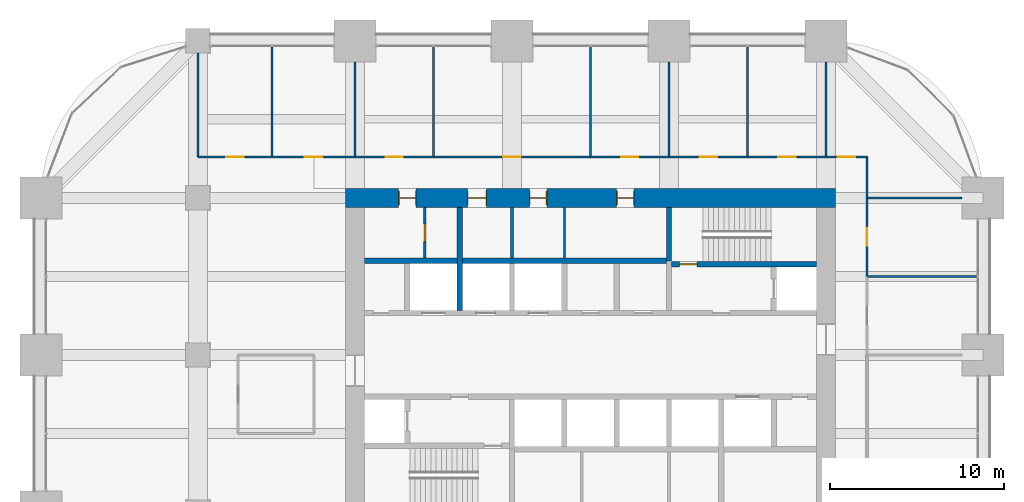
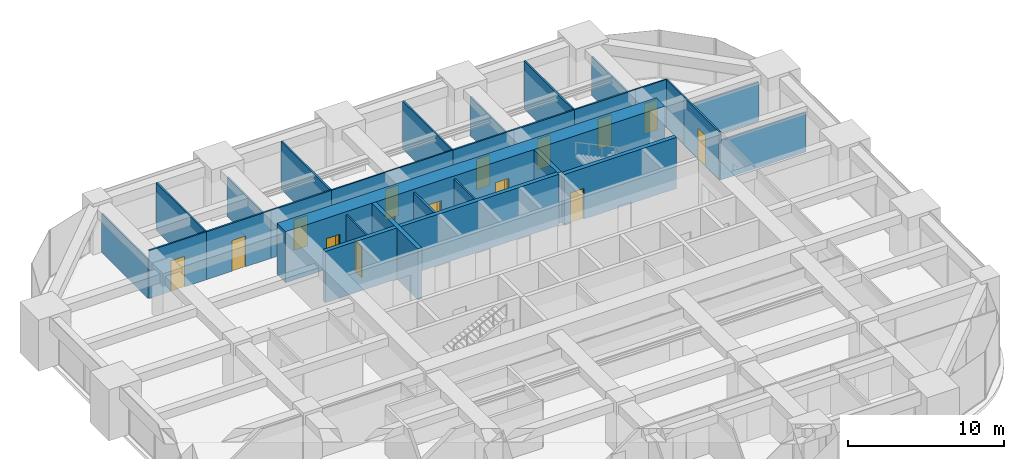
# One storey, part 31 of 33: 28 walls, 15 doors, 15 openings.
"""IFC4 building model written with IfcOpenShell, lengths in metres."""

from ifc_helpers import new_model, si_unit, direction, frame, frame_2d, origin, place, context, subcontext, project, spatial, rectangle, extrude, material, layer, layer_set, type_object, element, fill, save


model = new_model("IFC4")

# Units and contexts
model_context = context("Model", 3, precision=1e-05, world=origin(), true_north=direction((0.0, 1.0)))
body_context = subcontext(model_context, "Body", "Model", "MODEL_VIEW")
ifc_project = project(units=[si_unit("LENGTHUNIT", "METRE"), si_unit("AREAUNIT", "SQUARE_METRE"), si_unit("VOLUMEUNIT", "CUBIC_METRE"), si_unit("PLANEANGLEUNIT", "RADIAN"), si_unit("MASSUNIT", "GRAM", prefix="KILO")], contexts=[model_context])

# Site, building, storey
site_placement = place(None, origin())
site = spatial("IfcSite", under=ifc_project, at=site_placement, CompositionType="ELEMENT")
building_placement = place(site_placement, origin())
building = spatial("IfcBuilding", under=site, at=building_placement, Name="Zorevar Civic Tower", CompositionType="ELEMENT")
storey_placement = place(building_placement, frame((0.0, 0.0, 210.199951171875)))
storey = spatial("IfcBuildingStorey", under=building, at=storey_placement, Name="L51", CompositionType="ELEMENT", Elevation=210.199951171875)

# Wall, openings, doors
ifc_material_1 = material(Name="Concrete C50/60", Category="concrete")
ifc_layer_1 = layer(ifc_material_1, 1.10009765625)
ifc_layer_set_1 = layer_set([ifc_layer_1], Name="Core wall 1100")
wall_type_1 = type_object("IfcWallType", Name="Core wall 1100", PredefinedType="SHEAR", material=ifc_layer_set_1)
wall_1_placement = place(storey_placement, frame((45.550048828125, 36.0, 0.0), z_axis=(0.0, 0.0, 1.0), x_axis=(-1.0, 0.0, 0.0)))
wall_1 = element("IfcWall", 1, at=wall_1_placement, inside=storey, type_object=wall_type_1, Name="Core wall N L51", PredefinedType="SHEAR", context=body_context, shape_type="SweptSolid", body=[
    extrude(rectangle(XDim=28.10009765625, YDim=1.10009765625, at=frame_2d((14.050048828125, 0.0))), origin(), (0.0, 0.0, 1.0), 4.0),
])
opening_1_placement = place(wall_1_placement, frame((11.550048828125, 0.0, 0.0)))
opening_1 = element("IfcOpeningElement", 2, at=opening_1_placement, cuts=wall_1, Name="Opening L51.07", PredefinedType="OPENING", context=body_context, shape_type="SweptSolid", body=[
    extrude(rectangle(XDim=1.0, YDim=2.39990234375, at=frame_2d((0.5, 1.199951171875))), frame((0.0, 0.56005859375, 0.0), z_axis=(0.0, -1.0, 0.0), x_axis=(1.0, 0.0, 0.0)), (0.0, 0.0, 1.0), 1.1201171875),
])
opening_2_placement = place(wall_1_placement, frame((16.550048828125, 0.0, 0.0)))
opening_2 = element("IfcOpeningElement", 3, at=opening_2_placement, cuts=wall_1, Name="Opening L51.08", PredefinedType="OPENING", context=body_context, shape_type="SweptSolid", body=[
    extrude(rectangle(XDim=1.0, YDim=2.39990234375, at=frame_2d((0.5, 1.199951171875))), frame((0.0, 0.56005859375, 0.0), z_axis=(0.0, -1.0, 0.0), x_axis=(1.0, 0.0, 0.0)), (0.0, 0.0, 1.0), 1.1201171875),
])
opening_3_placement = place(wall_1_placement, frame((20.0, 0.0, 0.0)))
opening_3 = element("IfcOpeningElement", 4, at=opening_3_placement, cuts=wall_1, Name="Opening L51.09", PredefinedType="OPENING", context=body_context, shape_type="SweptSolid", body=[
    extrude(rectangle(XDim=1.10009765625, YDim=2.39990234375, at=frame_2d((0.550048828125, 1.199951171875))), frame((0.0, 0.56005859375, 0.0), z_axis=(0.0, -1.0, 0.0), x_axis=(1.0, 0.0, 0.0)), (0.0, 0.0, 1.0), 1.1201171875),
])
opening_4_placement = place(wall_1_placement, frame((24.050048828125, 0.0, 0.0)))
opening_4 = element("IfcOpeningElement", 5, at=opening_4_placement, cuts=wall_1, Name="Opening L51.10", PredefinedType="OPENING", context=body_context, shape_type="SweptSolid", body=[
    extrude(rectangle(XDim=1.0, YDim=2.39990234375, at=frame_2d((0.5, 1.199951171875))), frame((0.0, 0.56005859375, 0.0), z_axis=(0.0, -1.0, 0.0), x_axis=(1.0, 0.0, 0.0)), (0.0, 0.0, 1.0), 1.1201171875),
])
ifc_material_2 = material(Name="Timber door set", Category="wood")
door_type_1 = type_object("IfcDoorType", Name="Door D1 1000x2400", OperationType="SINGLE_SWING_LEFT", PredefinedType="DOOR", material=ifc_material_2)
door_1_placement = place(opening_1_placement, origin())
door_1 = element("IfcDoor", 6, at=door_1_placement, inside=storey, type_object=door_type_1, Name="Door L51 06", OperationType="SINGLE_SWING_RIGHT", OverallHeight=2.39990234375, OverallWidth=1.0, PredefinedType="DOOR", context=body_context, shape_type="SweptSolid", body=[
    extrude(rectangle(XDim=1.0, YDim=2.39990234375, at=frame_2d((0.5, 1.199951171875))), frame((0.0, 0.02490234375, 0.0), z_axis=(0.0, -1.0, 0.0), x_axis=(1.0, 0.0, 0.0)), (0.0, 0.0, 1.0), 0.050048828125),
    extrude(rectangle(XDim=0.04, YDim=2.39990234375, at=frame_2d((0.02001953125, 1.199951171875))), frame((0.0, 0.39990234375, 0.0), z_axis=(0.0, -1.0, 0.0), x_axis=(1.0, 0.0, 0.0)), (0.0, 0.0, 1.0), 0.800048828125),
    extrude(rectangle(XDim=0.04, YDim=2.39990234375, at=frame_2d((0.97998046875, 1.199951171875))), frame((0.0, 0.39990234375, 0.0), z_axis=(0.0, -1.0, 0.0), x_axis=(1.0, 0.0, 0.0)), (0.0, 0.0, 1.0), 0.800048828125),
    extrude(rectangle(XDim=1.0, YDim=0.04, at=frame_2d((0.5, 2.3798828125))), frame((0.0, 0.39990234375, 0.0), z_axis=(0.0, -1.0, 0.0), x_axis=(1.0, 0.0, 0.0)), (0.0, 0.0, 1.0), 0.800048828125),
])
fill(opening_1, door_1)
door_2_placement = place(opening_2_placement, origin())
door_2 = element("IfcDoor", 7, at=door_2_placement, inside=storey, type_object=door_type_1, Name="Door L51 07", OperationType="SINGLE_SWING_LEFT", OverallHeight=2.39990234375, OverallWidth=1.0, PredefinedType="DOOR", context=body_context, shape_type="SweptSolid", body=[
    extrude(rectangle(XDim=1.0, YDim=2.39990234375, at=frame_2d((0.5, 1.199951171875))), frame((0.0, 0.02490234375, 0.0), z_axis=(0.0, -1.0, 0.0), x_axis=(1.0, 0.0, 0.0)), (0.0, 0.0, 1.0), 0.050048828125),
    extrude(rectangle(XDim=0.04, YDim=2.39990234375, at=frame_2d((0.02001953125, 1.199951171875))), frame((0.0, 0.39990234375, 0.0), z_axis=(0.0, -1.0, 0.0), x_axis=(1.0, 0.0, 0.0)), (0.0, 0.0, 1.0), 0.800048828125),
    extrude(rectangle(XDim=0.04, YDim=2.39990234375, at=frame_2d((0.97998046875, 1.199951171875))), frame((0.0, 0.39990234375, 0.0), z_axis=(0.0, -1.0, 0.0), x_axis=(1.0, 0.0, 0.0)), (0.0, 0.0, 1.0), 0.800048828125),
    extrude(rectangle(XDim=1.0, YDim=0.04, at=frame_2d((0.5, 2.3798828125))), frame((0.0, 0.39990234375, 0.0), z_axis=(0.0, -1.0, 0.0), x_axis=(1.0, 0.0, 0.0)), (0.0, 0.0, 1.0), 0.800048828125),
])
fill(opening_2, door_2)
door_3_placement = place(opening_4_placement, origin())
door_3 = element("IfcDoor", 8, at=door_3_placement, inside=storey, type_object=door_type_1, Name="Door L51 09", OperationType="SINGLE_SWING_LEFT", OverallHeight=2.39990234375, OverallWidth=1.0, PredefinedType="DOOR", context=body_context, shape_type="SweptSolid", body=[
    extrude(rectangle(XDim=1.0, YDim=2.39990234375, at=frame_2d((0.5, 1.199951171875))), frame((0.0, 0.02490234375, 0.0), z_axis=(0.0, -1.0, 0.0), x_axis=(1.0, 0.0, 0.0)), (0.0, 0.0, 1.0), 0.050048828125),
    extrude(rectangle(XDim=0.04, YDim=2.39990234375, at=frame_2d((0.02001953125, 1.199951171875))), frame((0.0, 0.39990234375, 0.0), z_axis=(0.0, -1.0, 0.0), x_axis=(1.0, 0.0, 0.0)), (0.0, 0.0, 1.0), 0.800048828125),
    extrude(rectangle(XDim=0.04, YDim=2.39990234375, at=frame_2d((0.97998046875, 1.199951171875))), frame((0.0, 0.39990234375, 0.0), z_axis=(0.0, -1.0, 0.0), x_axis=(1.0, 0.0, 0.0)), (0.0, 0.0, 1.0), 0.800048828125),
    extrude(rectangle(XDim=1.0, YDim=0.04, at=frame_2d((0.5, 2.3798828125))), frame((0.0, 0.39990234375, 0.0), z_axis=(0.0, -1.0, 0.0), x_axis=(1.0, 0.0, 0.0)), (0.0, 0.0, 1.0), 0.800048828125),
])
fill(opening_4, door_3)
ifc_material_3 = material(Name="Timber door set", Category="wood")
door_type_2 = type_object("IfcDoorType", Name="Door D5 1100x2400", OperationType="SINGLE_SWING_LEFT", PredefinedType="DOOR", material=ifc_material_3)
door_4_placement = place(opening_3_placement, origin())
door_4 = element("IfcDoor", 9, at=door_4_placement, inside=storey, type_object=door_type_2, Name="Door L51 08", OperationType="SINGLE_SWING_LEFT", OverallHeight=2.39990234375, OverallWidth=1.10009765625, PredefinedType="DOOR", context=body_context, shape_type="SweptSolid", body=[
    extrude(rectangle(XDim=1.10009765625, YDim=2.39990234375, at=frame_2d((0.550048828125, 1.199951171875))), frame((0.0, 0.02490234375, 0.0), z_axis=(0.0, -1.0, 0.0), x_axis=(1.0, 0.0, 0.0)), (0.0, 0.0, 1.0), 0.050048828125),
    extrude(rectangle(XDim=0.04, YDim=2.39990234375, at=frame_2d((0.02001953125, 1.199951171875))), frame((0.0, 0.43994140625, 0.0), z_axis=(0.0, -1.0, 0.0), x_axis=(1.0, 0.0, 0.0)), (0.0, 0.0, 1.0), 0.880126953125),
    extrude(rectangle(XDim=0.04, YDim=2.39990234375, at=frame_2d((1.080078125, 1.199951171875))), frame((0.0, 0.43994140625, 0.0), z_axis=(0.0, -1.0, 0.0), x_axis=(1.0, 0.0, 0.0)), (0.0, 0.0, 1.0), 0.880126953125),
    extrude(rectangle(XDim=1.10009765625, YDim=0.04, at=frame_2d((0.550048828125, 2.3798828125))), frame((0.0, 0.43994140625, 0.0), z_axis=(0.0, -1.0, 0.0), x_axis=(1.0, 0.0, 0.0)), (0.0, 0.0, 1.0), 0.880126953125),
])
fill(opening_3, door_4)

# Wall, opening, door
ifc_material_4 = material(Name="Laminated glass in black aluminium frame", Category="aluminium")
ifc_layer_2 = layer(ifc_material_4, 0.10009765625)
ifc_layer_set_2 = layer_set([ifc_layer_2], Name="Glazed partition 100")
wall_type_2 = type_object("IfcWallType", Name="Glazed partition 100", PredefinedType="PARTITIONING", material=ifc_layer_set_2)
wall_2_placement = place(storey_placement, frame((22.5, 38.35009765625, 0.0), z_axis=(0.0, 0.0, 1.0), x_axis=(1.0, 0.0, 0.0)))
wall_2 = element("IfcWall", 10, at=wall_2_placement, inside=storey, type_object=wall_type_2, Name="Glazed partition 100 L51", PredefinedType="PARTITIONING", context=body_context, shape_type="SweptSolid", body=[
    extrude(rectangle(XDim=9.0, YDim=0.10009765625, at=frame_2d((4.5, 0.0))), origin(), (0.0, 0.0, 1.0), 3.75),
])
opening_5_placement = place(wall_2_placement, frame((4.0, 0.0, 0.0)))
opening_5 = element("IfcOpeningElement", 11, at=opening_5_placement, cuts=wall_2, Name="Opening L51.34", PredefinedType="OPENING", context=body_context, shape_type="SweptSolid", body=[
    extrude(rectangle(XDim=1.0, YDim=2.39990234375, at=frame_2d((0.5, 1.199951171875))), frame((0.0, 0.06005859375, 0.0), z_axis=(0.0, -1.0, 0.0), x_axis=(1.0, 0.0, 0.0)), (0.0, 0.0, 1.0), 0.1201171875),
])
ifc_material_5 = material(Name="Timber door set", Category="wood")
door_type_3 = type_object("IfcDoorType", Name="Glazed door GD1 1000x2400", OperationType="SINGLE_SWING_LEFT", PredefinedType="DOOR", material=ifc_material_5)
door_5_placement = place(opening_5_placement, origin())
door_5 = element("IfcDoor", 12, at=door_5_placement, inside=storey, type_object=door_type_3, Name="Door L51 D1", OperationType="SINGLE_SWING_RIGHT", OverallHeight=2.39990234375, OverallWidth=1.0, PredefinedType="DOOR", context=body_context, shape_type="SweptSolid", body=[
    extrude(rectangle(XDim=1.0, YDim=2.39990234375, at=frame_2d((0.5, 1.199951171875))), frame((0.0, 0.02001953125, 0.0), z_axis=(0.0, -1.0, 0.0), x_axis=(1.0, 0.0, 0.0)), (0.0, 0.0, 1.0), 0.0400390625),
])
fill(opening_5, door_5)

wall_3_placement = place(storey_placement, frame((45.0, 38.35009765625, 0.0), z_axis=(0.0, 0.0, 1.0), x_axis=(1.0, 0.0, 0.0)))
wall_3 = element("IfcWall", 13, at=wall_3_placement, inside=storey, type_object=wall_type_2, Name="Glazed partition 100 L51", PredefinedType="PARTITIONING", context=body_context, shape_type="SweptSolid", body=[
    extrude(rectangle(XDim=2.35009765625, YDim=0.10009765625, at=frame_2d((1.175048828125, 0.0))), origin(), (0.0, 0.0, 1.0), 3.75),
])
opening_6_placement = place(wall_3_placement, frame((0.675048828125, 0.0, 0.0)))
opening_6 = element("IfcOpeningElement", 14, at=opening_6_placement, cuts=wall_3, Name="Opening L51.35", PredefinedType="OPENING", context=body_context, shape_type="SweptSolid", body=[
    extrude(rectangle(XDim=1.0, YDim=2.39990234375, at=frame_2d((0.5, 1.199951171875))), frame((0.0, 0.06005859375, 0.0), z_axis=(0.0, -1.0, 0.0), x_axis=(1.0, 0.0, 0.0)), (0.0, 0.0, 1.0), 0.1201171875),
])
door_6_placement = place(opening_6_placement, origin())
door_6 = element("IfcDoor", 15, at=door_6_placement, inside=storey, type_object=door_type_3, Name="Door L51 D1", OperationType="SINGLE_SWING_RIGHT", OverallHeight=2.39990234375, OverallWidth=1.0, PredefinedType="DOOR", context=body_context, shape_type="SweptSolid", body=[
    extrude(rectangle(XDim=1.0, YDim=2.39990234375, at=frame_2d((0.5, 1.199951171875))), frame((0.0, 0.02001953125, 0.0), z_axis=(0.0, -1.0, 0.0), x_axis=(1.0, 0.0, 0.0)), (0.0, 0.0, 1.0), 0.0400390625),
])
fill(opening_6, door_6)

# Wall
wall_4_placement = place(storey_placement, frame((47.35009765625, 36.0, 0.0), z_axis=(0.0, 0.0, 1.0), x_axis=(0.0, 1.0, 0.0)))
element("IfcWall", 16, at=wall_4_placement, inside=storey, type_object=wall_type_2, Name="Glazed partition 100 L51", PredefinedType="PARTITIONING", context=body_context, shape_type="SweptSolid", body=[
    extrude(rectangle(XDim=2.35009765625, YDim=0.10009765625, at=frame_2d((1.175048828125, 0.0))), origin(), (0.0, 0.0, 1.0), 3.75),
])

# Wall, opening, door
ifc_material_6 = material(Name="Concrete C40/50", Category="concrete")
ifc_layer_3 = layer(ifc_material_6, 0.300048828125)
ifc_layer_set_3 = layer_set([ifc_layer_3], Name="Inner core wall 300")
wall_type_3 = type_object("IfcWallType", Name="Inner core wall 300", PredefinedType="SHEAR", material=ifc_layer_set_3)
wall_5_placement = place(storey_placement, frame((36.14990234375, 32.199951171875, 0.0), z_axis=(0.0, 0.0, 1.0), x_axis=(1.0, 0.0, 0.0)))
wall_5 = element("IfcWall", 17, at=wall_5_placement, inside=storey, type_object=wall_type_3, Name="Inner core wall N00 L51", PredefinedType="SHEAR", context=body_context, shape_type="SweptSolid", body=[
    extrude(rectangle(XDim=8.300048828125, YDim=0.300048828125, at=frame_2d((4.14990234375, 0.0))), origin(), (0.0, 0.0, 1.0), 4.0),
])
opening_7_placement = place(wall_5_placement, frame((0.449951171875, 0.0, 0.0)))
opening_7 = element("IfcOpeningElement", 18, at=opening_7_placement, cuts=wall_5, Name="Opening L51.12", PredefinedType="OPENING", context=body_context, shape_type="SweptSolid", body=[
    extrude(rectangle(XDim=1.0, YDim=2.39990234375, at=frame_2d((0.5, 1.199951171875))), frame((0.0, 0.159912109375, 0.0), z_axis=(0.0, -1.0, 0.0), x_axis=(1.0, 0.0, 0.0)), (0.0, 0.0, 1.0), 0.320068359375),
])
ifc_material_7 = material(Name="Steel door set", Category="steel")
door_type_4 = type_object("IfcDoorType", Name="Fire door FD1 1000x2400", OperationType="SINGLE_SWING_LEFT", PredefinedType="DOOR", material=ifc_material_7)
door_7_placement = place(opening_7_placement, origin())
door_7 = element("IfcDoor", 19, at=door_7_placement, inside=storey, type_object=door_type_4, Name="Door L51 11", OperationType="SINGLE_SWING_RIGHT", OverallHeight=2.39990234375, OverallWidth=1.0, PredefinedType="DOOR", context=body_context, shape_type="SweptSolid", body=[
    extrude(rectangle(XDim=1.0, YDim=2.39990234375, at=frame_2d((0.5, 1.199951171875))), frame((0.0, 0.030029296875, 0.0), z_axis=(0.0, -1.0, 0.0), x_axis=(1.0, 0.0, 0.0)), (0.0, 0.0, 1.0), 0.06005859375),
])
fill(opening_7, door_7)

# Walls
wall_6_placement = place(storey_placement, frame((36.0, 32.39990234375, 0.0), z_axis=(0.0, 0.0, 1.0), x_axis=(0.0, 1.0, 0.0)))
element("IfcWall", 20, at=wall_6_placement, inside=storey, type_object=wall_type_3, Name="Inner core wall N01 L51", PredefinedType="SHEAR", context=body_context, shape_type="SweptSolid", body=[
    extrude(rectangle(XDim=3.050048828125, YDim=0.300048828125, at=frame_2d((1.52490234375, 0.0))), origin(), (0.0, 0.0, 1.0), 4.0),
])
wall_7_placement = place(storey_placement, frame((18.550048828125, 32.39990234375, 0.0), z_axis=(0.0, 0.0, 1.0), x_axis=(1.0, 0.0, 0.0)))
element("IfcWall", 21, at=wall_7_placement, inside=storey, type_object=wall_type_3, Name="Inner core wall N04 L51", PredefinedType="SHEAR", context=body_context, shape_type="SweptSolid", body=[
    extrude(rectangle(XDim=17.300048828125, YDim=0.300048828125, at=frame_2d((8.64990234375, 0.0))), origin(), (0.0, 0.0, 1.0), 4.0),
])
wall_8_placement = place(storey_placement, frame((24.0, 29.550048828125, 0.0), z_axis=(0.0, 0.0, 1.0), x_axis=(0.0, 1.0, 0.0)))
element("IfcWall", 22, at=wall_8_placement, inside=storey, type_object=wall_type_3, Name="Inner core wall N08 L51", PredefinedType="SHEAR", context=body_context, shape_type="SweptSolid", body=[
    extrude(rectangle(XDim=5.89990234375, YDim=0.300048828125, at=frame_2d((2.949951171875, 0.0))), origin(), (0.0, 0.0, 1.0), 4.0),
])
ifc_material_8 = material(Name="Gypsum board on steel studs", Category="steel")
ifc_layer_4 = layer(ifc_material_8, 0.1201171875)
ifc_layer_set_4 = layer_set([ifc_layer_4], Name="Partition 120")
wall_type_4 = type_object("IfcWallType", Name="Partition 120", PredefinedType="PARTITIONING", material=ifc_layer_set_4)
wall_9_placement = place(storey_placement, frame((47.35009765625, 31.5, 0.0), z_axis=(0.0, 0.0, 1.0), x_axis=(1.0, 0.0, 0.0)))
element("IfcWall", 23, at=wall_9_placement, inside=storey, type_object=wall_type_4, Name="Partition 120 L51", PredefinedType="PARTITIONING", context=body_context, shape_type="SweptSolid", body=[
    extrude(rectangle(XDim=6.33984375, YDim=0.1201171875, at=frame_2d((3.169921875, 0.0))), origin(), (0.0, 0.0, 1.0), 3.10009765625),
])
wall_10_placement = place(storey_placement, frame((47.35009765625, 36.0, 0.0), z_axis=(0.0, 0.0, 1.0), x_axis=(1.0, 0.0, 0.0)))
element("IfcWall", 24, at=wall_10_placement, inside=storey, type_object=wall_type_4, Name="Partition 120 L51", PredefinedType="PARTITIONING", context=body_context, shape_type="SweptSolid", body=[
    extrude(rectangle(XDim=5.449951171875, YDim=0.1201171875, at=frame_2d((2.72509765625, 0.0))), origin(), (0.0, 0.0, 1.0), 3.050048828125),
])

# Wall, opening, door
wall_11_placement = place(storey_placement, frame((9.0, 38.35009765625, 0.0), z_axis=(0.0, 0.0, 1.0), x_axis=(1.0, 0.0, 0.0)))
wall_11 = element("IfcWall", 25, at=wall_11_placement, inside=storey, type_object=wall_type_4, Name="Partition 120 L51", PredefinedType="PARTITIONING", context=body_context, shape_type="SweptSolid", body=[
    extrude(rectangle(XDim=4.25, YDim=0.1201171875, at=frame_2d((2.125, 0.0))), origin(), (0.0, 0.0, 1.0), 3.75),
])
opening_8_placement = place(wall_11_placement, frame((1.625, 0.0, 0.0)))
opening_8 = element("IfcOpeningElement", 26, at=opening_8_placement, cuts=wall_11, Name="Opening L51.28", PredefinedType="OPENING", context=body_context, shape_type="SweptSolid", body=[
    extrude(rectangle(XDim=1.0, YDim=2.39990234375, at=frame_2d((0.5, 1.199951171875))), frame((0.0, 0.070068359375, 0.0), z_axis=(0.0, -1.0, 0.0), x_axis=(1.0, 0.0, 0.0)), (0.0, 0.0, 1.0), 0.14013671875),
])
door_8_placement = place(opening_8_placement, origin())
door_8 = element("IfcDoor", 27, at=door_8_placement, inside=storey, type_object=door_type_1, Name="Door L51 D1", OperationType="SINGLE_SWING_RIGHT", OverallHeight=2.39990234375, OverallWidth=1.0, PredefinedType="DOOR", context=body_context, shape_type="SweptSolid", body=[
    extrude(rectangle(XDim=1.0, YDim=2.39990234375, at=frame_2d((0.5, 1.199951171875))), frame((0.0, 0.02490234375, 0.0), z_axis=(0.0, -1.0, 0.0), x_axis=(1.0, 0.0, 0.0)), (0.0, 0.0, 1.0), 0.050048828125),
])
fill(opening_8, door_8)

wall_12_placement = place(storey_placement, frame((13.25, 38.35009765625, 0.0), z_axis=(0.0, 0.0, 1.0), x_axis=(1.0, 0.0, 0.0)))
wall_12 = element("IfcWall", 28, at=wall_12_placement, inside=storey, type_object=wall_type_4, Name="Partition 120 L51", PredefinedType="PARTITIONING", context=body_context, shape_type="SweptSolid", body=[
    extrude(rectangle(XDim=4.75, YDim=0.1201171875, at=frame_2d((2.375, 0.0))), origin(), (0.0, 0.0, 1.0), 3.75),
])
opening_9_placement = place(wall_12_placement, frame((1.875, 0.0, 0.0)))
opening_9 = element("IfcOpeningElement", 29, at=opening_9_placement, cuts=wall_12, Name="Opening L51.29", PredefinedType="OPENING", context=body_context, shape_type="SweptSolid", body=[
    extrude(rectangle(XDim=1.0, YDim=2.39990234375, at=frame_2d((0.5, 1.199951171875))), frame((0.0, 0.070068359375, 0.0), z_axis=(0.0, -1.0, 0.0), x_axis=(1.0, 0.0, 0.0)), (0.0, 0.0, 1.0), 0.14013671875),
])
door_9_placement = place(opening_9_placement, origin())
door_9 = element("IfcDoor", 30, at=door_9_placement, inside=storey, type_object=door_type_1, Name="Door L51 D1", OperationType="SINGLE_SWING_RIGHT", OverallHeight=2.39990234375, OverallWidth=1.0, PredefinedType="DOOR", context=body_context, shape_type="SweptSolid", body=[
    extrude(rectangle(XDim=1.0, YDim=2.39990234375, at=frame_2d((0.5, 1.199951171875))), frame((0.0, 0.02490234375, 0.0), z_axis=(0.0, -1.0, 0.0), x_axis=(1.0, 0.0, 0.0)), (0.0, 0.0, 1.0), 0.050048828125),
])
fill(opening_9, door_9)

wall_13_placement = place(storey_placement, frame((18.0, 38.35009765625, 0.0), z_axis=(0.0, 0.0, 1.0), x_axis=(1.0, 0.0, 0.0)))
wall_13 = element("IfcWall", 31, at=wall_13_placement, inside=storey, type_object=wall_type_4, Name="Partition 120 L51", PredefinedType="PARTITIONING", context=body_context, shape_type="SweptSolid", body=[
    extrude(rectangle(XDim=4.5, YDim=0.1201171875, at=frame_2d((2.25, 0.0))), origin(), (0.0, 0.0, 1.0), 3.75),
])
opening_10_placement = place(wall_13_placement, frame((1.75, 0.0, 0.0)))
opening_10 = element("IfcOpeningElement", 32, at=opening_10_placement, cuts=wall_13, Name="Opening L51.30", PredefinedType="OPENING", context=body_context, shape_type="SweptSolid", body=[
    extrude(rectangle(XDim=1.0, YDim=2.39990234375, at=frame_2d((0.5, 1.199951171875))), frame((0.0, 0.070068359375, 0.0), z_axis=(0.0, -1.0, 0.0), x_axis=(1.0, 0.0, 0.0)), (0.0, 0.0, 1.0), 0.14013671875),
])
door_10_placement = place(opening_10_placement, origin())
door_10 = element("IfcDoor", 33, at=door_10_placement, inside=storey, type_object=door_type_1, Name="Door L51 D1", OperationType="SINGLE_SWING_RIGHT", OverallHeight=2.39990234375, OverallWidth=1.0, PredefinedType="DOOR", context=body_context, shape_type="SweptSolid", body=[
    extrude(rectangle(XDim=1.0, YDim=2.39990234375, at=frame_2d((0.5, 1.199951171875))), frame((0.0, 0.02490234375, 0.0), z_axis=(0.0, -1.0, 0.0), x_axis=(1.0, 0.0, 0.0)), (0.0, 0.0, 1.0), 0.050048828125),
])
fill(opening_10, door_10)

wall_14_placement = place(storey_placement, frame((31.5, 38.35009765625, 0.0), z_axis=(0.0, 0.0, 1.0), x_axis=(1.0, 0.0, 0.0)))
wall_14 = element("IfcWall", 34, at=wall_14_placement, inside=storey, type_object=wall_type_4, Name="Partition 120 L51", PredefinedType="PARTITIONING", context=body_context, shape_type="SweptSolid", body=[
    extrude(rectangle(XDim=4.5, YDim=0.1201171875, at=frame_2d((2.25, 0.0))), origin(), (0.0, 0.0, 1.0), 3.75),
])
opening_11_placement = place(wall_14_placement, frame((1.75, 0.0, 0.0)))
opening_11 = element("IfcOpeningElement", 35, at=opening_11_placement, cuts=wall_14, Name="Opening L51.31", PredefinedType="OPENING", context=body_context, shape_type="SweptSolid", body=[
    extrude(rectangle(XDim=1.0, YDim=2.39990234375, at=frame_2d((0.5, 1.199951171875))), frame((0.0, 0.070068359375, 0.0), z_axis=(0.0, -1.0, 0.0), x_axis=(1.0, 0.0, 0.0)), (0.0, 0.0, 1.0), 0.14013671875),
])
door_11_placement = place(opening_11_placement, origin())
door_11 = element("IfcDoor", 36, at=door_11_placement, inside=storey, type_object=door_type_1, Name="Door L51 D1", OperationType="SINGLE_SWING_LEFT", OverallHeight=2.39990234375, OverallWidth=1.0, PredefinedType="DOOR", context=body_context, shape_type="SweptSolid", body=[
    extrude(rectangle(XDim=1.0, YDim=2.39990234375, at=frame_2d((0.5, 1.199951171875))), frame((0.0, 0.02490234375, 0.0), z_axis=(0.0, -1.0, 0.0), x_axis=(1.0, 0.0, 0.0)), (0.0, 0.0, 1.0), 0.050048828125),
])
fill(opening_11, door_11)

wall_15_placement = place(storey_placement, frame((36.0, 38.35009765625, 0.0), z_axis=(0.0, 0.0, 1.0), x_axis=(1.0, 0.0, 0.0)))
wall_15 = element("IfcWall", 37, at=wall_15_placement, inside=storey, type_object=wall_type_4, Name="Partition 120 L51", PredefinedType="PARTITIONING", context=body_context, shape_type="SweptSolid", body=[
    extrude(rectangle(XDim=4.5, YDim=0.1201171875, at=frame_2d((2.25, 0.0))), origin(), (0.0, 0.0, 1.0), 3.75),
])
opening_12_placement = place(wall_15_placement, frame((1.75, 0.0, 0.0)))
opening_12 = element("IfcOpeningElement", 38, at=opening_12_placement, cuts=wall_15, Name="Opening L51.32", PredefinedType="OPENING", context=body_context, shape_type="SweptSolid", body=[
    extrude(rectangle(XDim=1.0, YDim=2.39990234375, at=frame_2d((0.5, 1.199951171875))), frame((0.0, 0.070068359375, 0.0), z_axis=(0.0, -1.0, 0.0), x_axis=(1.0, 0.0, 0.0)), (0.0, 0.0, 1.0), 0.14013671875),
])
door_12_placement = place(opening_12_placement, origin())
door_12 = element("IfcDoor", 39, at=door_12_placement, inside=storey, type_object=door_type_1, Name="Door L51 D1", OperationType="SINGLE_SWING_RIGHT", OverallHeight=2.39990234375, OverallWidth=1.0, PredefinedType="DOOR", context=body_context, shape_type="SweptSolid", body=[
    extrude(rectangle(XDim=1.0, YDim=2.39990234375, at=frame_2d((0.5, 1.199951171875))), frame((0.0, 0.02490234375, 0.0), z_axis=(0.0, -1.0, 0.0), x_axis=(1.0, 0.0, 0.0)), (0.0, 0.0, 1.0), 0.050048828125),
])
fill(opening_12, door_12)

wall_16_placement = place(storey_placement, frame((40.5, 38.35009765625, 0.0), z_axis=(0.0, 0.0, 1.0), x_axis=(1.0, 0.0, 0.0)))
wall_16 = element("IfcWall", 40, at=wall_16_placement, inside=storey, type_object=wall_type_4, Name="Partition 120 L51", PredefinedType="PARTITIONING", context=body_context, shape_type="SweptSolid", body=[
    extrude(rectangle(XDim=4.5, YDim=0.1201171875, at=frame_2d((2.25, 0.0))), origin(), (0.0, 0.0, 1.0), 3.75),
])
opening_13_placement = place(wall_16_placement, frame((1.75, 0.0, 0.0)))
opening_13 = element("IfcOpeningElement", 41, at=opening_13_placement, cuts=wall_16, Name="Opening L51.33", PredefinedType="OPENING", context=body_context, shape_type="SweptSolid", body=[
    extrude(rectangle(XDim=1.0, YDim=2.39990234375, at=frame_2d((0.5, 1.199951171875))), frame((0.0, 0.070068359375, 0.0), z_axis=(0.0, -1.0, 0.0), x_axis=(1.0, 0.0, 0.0)), (0.0, 0.0, 1.0), 0.14013671875),
])
door_13_placement = place(opening_13_placement, origin())
door_13 = element("IfcDoor", 42, at=door_13_placement, inside=storey, type_object=door_type_1, Name="Door L51 D1", OperationType="SINGLE_SWING_LEFT", OverallHeight=2.39990234375, OverallWidth=1.0, PredefinedType="DOOR", context=body_context, shape_type="SweptSolid", body=[
    extrude(rectangle(XDim=1.0, YDim=2.39990234375, at=frame_2d((0.5, 1.199951171875))), frame((0.0, 0.02490234375, 0.0), z_axis=(0.0, -1.0, 0.0), x_axis=(1.0, 0.0, 0.0)), (0.0, 0.0, 1.0), 0.050048828125),
])
fill(opening_13, door_13)

# Walls
wall_17_placement = place(storey_placement, frame((9.0, 38.35009765625, 0.0), z_axis=(0.0, 0.0, 1.0), x_axis=(0.0, 1.0, 0.0)))
element("IfcWall", 43, at=wall_17_placement, inside=storey, type_object=wall_type_4, Name="Partition 120 L51", PredefinedType="PARTITIONING", context=body_context, shape_type="SweptSolid", body=[
    extrude(rectangle(XDim=5.949951171875, YDim=0.1201171875, at=frame_2d((2.97509765625, 0.0))), origin(), (0.0, 0.0, 1.0), 3.050048828125),
])
wall_18_placement = place(storey_placement, frame((13.25, 38.35009765625, 0.0), z_axis=(0.0, 0.0, 1.0), x_axis=(0.0, 1.0, 0.0)))
element("IfcWall", 44, at=wall_18_placement, inside=storey, type_object=wall_type_4, Name="Partition 120 L51", PredefinedType="PARTITIONING", context=body_context, shape_type="SweptSolid", body=[
    extrude(rectangle(XDim=6.33984375, YDim=0.1201171875, at=frame_2d((3.169921875, 0.0))), origin(), (0.0, 0.0, 1.0), 3.75),
])
wall_19_placement = place(storey_placement, frame((18.0, 38.35009765625, 0.0), z_axis=(0.0, 0.0, 1.0), x_axis=(0.0, 1.0, 0.0)))
element("IfcWall", 45, at=wall_19_placement, inside=storey, type_object=wall_type_4, Name="Partition 120 L51", PredefinedType="PARTITIONING", context=body_context, shape_type="SweptSolid", body=[
    extrude(rectangle(XDim=5.449951171875, YDim=0.1201171875, at=frame_2d((2.72509765625, 0.0))), origin(), (0.0, 0.0, 1.0), 3.050048828125),
])
for number, where, z_axis, x_axis, name in (
    (46, (22.5, 38.35009765625, 0.0), (0.0, 0.0, 1.0), (0.0, 1.0, 0.0), "Partition 120 L51"),
    (47, (31.5, 38.35009765625, 0.0), (0.0, 0.0, 1.0), (0.0, 1.0, 0.0), "Partition 120 L51"),
):
    element("IfcWall", number, at=place(storey_placement, frame(where, z_axis=z_axis, x_axis=x_axis)), inside=storey, type_object=wall_type_4, Name=name, PredefinedType="PARTITIONING", context=body_context, shape_type="SweptSolid", body=[
        extrude(rectangle(XDim=6.33984375, YDim=0.1201171875, at=frame_2d((3.169921875, 0.0))), origin(), (0.0, 0.0, 1.0), 3.75),
    ])
wall_20_placement = place(storey_placement, frame((36.0, 38.35009765625, 0.0), z_axis=(0.0, 0.0, 1.0), x_axis=(0.0, 1.0, 0.0)))
element("IfcWall", 48, at=wall_20_placement, inside=storey, type_object=wall_type_4, Name="Partition 120 L51", PredefinedType="PARTITIONING", context=body_context, shape_type="SweptSolid", body=[
    extrude(rectangle(XDim=5.449951171875, YDim=0.1201171875, at=frame_2d((2.72509765625, 0.0))), origin(), (0.0, 0.0, 1.0), 3.050048828125),
])
wall_21_placement = place(storey_placement, frame((40.5, 38.35009765625, 0.0), z_axis=(0.0, 0.0, 1.0), x_axis=(0.0, 1.0, 0.0)))
element("IfcWall", 49, at=wall_21_placement, inside=storey, type_object=wall_type_4, Name="Partition 120 L51", PredefinedType="PARTITIONING", context=body_context, shape_type="SweptSolid", body=[
    extrude(rectangle(XDim=6.33984375, YDim=0.1201171875, at=frame_2d((3.169921875, 0.0))), origin(), (0.0, 0.0, 1.0), 3.75),
])
wall_22_placement = place(storey_placement, frame((45.0, 38.35009765625, 0.0), z_axis=(0.0, 0.0, 1.0), x_axis=(0.0, 1.0, 0.0)))
element("IfcWall", 50, at=wall_22_placement, inside=storey, type_object=wall_type_4, Name="Partition 120 L51", PredefinedType="PARTITIONING", context=body_context, shape_type="SweptSolid", body=[
    extrude(rectangle(XDim=5.449951171875, YDim=0.1201171875, at=frame_2d((2.72509765625, 0.0))), origin(), (0.0, 0.0, 1.0), 3.050048828125),
])

# Wall, opening, door
wall_23_placement = place(storey_placement, frame((47.35009765625, 31.5, 0.0), z_axis=(0.0, 0.0, 1.0), x_axis=(0.0, 1.0, 0.0)))
wall_23 = element("IfcWall", 51, at=wall_23_placement, inside=storey, type_object=wall_type_4, Name="Partition 120 L51", PredefinedType="PARTITIONING", context=body_context, shape_type="SweptSolid", body=[
    extrude(rectangle(XDim=4.5, YDim=0.1201171875, at=frame_2d((2.25, 0.0))), origin(), (0.0, 0.0, 1.0), 3.75),
])
opening_14_placement = place(wall_23_placement, frame((1.75, 0.0, 0.0)))
opening_14 = element("IfcOpeningElement", 52, at=opening_14_placement, cuts=wall_23, Name="Opening L51.39", PredefinedType="OPENING", context=body_context, shape_type="SweptSolid", body=[
    extrude(rectangle(XDim=1.0, YDim=2.39990234375, at=frame_2d((0.5, 1.199951171875))), frame((0.0, 0.070068359375, 0.0), z_axis=(0.0, -1.0, 0.0), x_axis=(1.0, 0.0, 0.0)), (0.0, 0.0, 1.0), 0.14013671875),
])
door_14_placement = place(opening_14_placement, origin())
door_14 = element("IfcDoor", 53, at=door_14_placement, inside=storey, type_object=door_type_1, Name="Door L51 D1", OperationType="SINGLE_SWING_LEFT", OverallHeight=2.39990234375, OverallWidth=1.0, PredefinedType="DOOR", context=body_context, shape_type="SweptSolid", body=[
    extrude(rectangle(XDim=1.0, YDim=2.39990234375, at=frame_2d((0.5, 1.199951171875))), frame((0.0, 0.02490234375, 0.0), z_axis=(0.0, -1.0, 0.0), x_axis=(1.0, 0.0, 0.0)), (0.0, 0.0, 1.0), 0.050048828125),
])
fill(opening_14, door_14)

# Wall
wall_24_placement = place(storey_placement, frame((30.0, 32.550048828125, 0.0), z_axis=(0.0, 0.0, 1.0), x_axis=(0.0, 1.0, 0.0)))
element("IfcWall", 54, at=wall_24_placement, inside=storey, type_object=wall_type_4, Name="Partition L51", PredefinedType="PARTITIONING", context=body_context, shape_type="SweptSolid", body=[
    extrude(rectangle(XDim=2.89990234375, YDim=0.1201171875, at=frame_2d((1.449951171875, 0.0))), origin(), (0.0, 0.0, 1.0), 3.75),
])

# Wall, opening, door
wall_25_placement = place(storey_placement, frame((22.0, 32.550048828125, 0.0), z_axis=(0.0, 0.0, 1.0), x_axis=(0.0, 1.0, 0.0)))
wall_25 = element("IfcWall", 55, at=wall_25_placement, inside=storey, type_object=wall_type_4, Name="Partition L51", PredefinedType="PARTITIONING", context=body_context, shape_type="SweptSolid", body=[
    extrude(rectangle(XDim=2.89990234375, YDim=0.1201171875, at=frame_2d((1.449951171875, 0.0))), origin(), (0.0, 0.0, 1.0), 3.75),
])
opening_15_placement = place(wall_25_placement, frame((0.949951171875, 0.0, 0.0)))
opening_15 = element("IfcOpeningElement", 56, at=opening_15_placement, cuts=wall_25, Name="Opening L51.40", PredefinedType="OPENING", context=body_context, shape_type="SweptSolid", body=[
    extrude(rectangle(XDim=1.0, YDim=2.39990234375, at=frame_2d((0.5, 1.199951171875))), frame((0.0, 0.070068359375, 0.0), z_axis=(0.0, -1.0, 0.0), x_axis=(1.0, 0.0, 0.0)), (0.0, 0.0, 1.0), 0.14013671875),
])
door_15_placement = place(opening_15_placement, origin())
door_15 = element("IfcDoor", 57, at=door_15_placement, inside=storey, type_object=door_type_4, Name="Door L51 EN", OperationType="SINGLE_SWING_LEFT", OverallHeight=2.39990234375, OverallWidth=1.0, PredefinedType="DOOR", context=body_context, shape_type="SweptSolid", body=[
    extrude(rectangle(XDim=1.0, YDim=2.39990234375, at=frame_2d((0.5, 1.199951171875))), frame((0.0, 0.030029296875, 0.0), z_axis=(0.0, -1.0, 0.0), x_axis=(1.0, 0.0, 0.0)), (0.0, 0.0, 1.0), 0.06005859375),
])
fill(opening_15, door_15)

# Wall
ifc_material_9 = material(Name="Gypsum board on steel studs, moisture resistant", Category="steel")
ifc_layer_5 = layer(ifc_material_9, 0.14990234375)
ifc_layer_set_5 = layer_set([ifc_layer_5], Name="WC partition 150")
wall_type_5 = type_object("IfcWallType", Name="WC partition 150", PredefinedType="PARTITIONING", material=ifc_layer_set_5)
wall_26_placement = place(storey_placement, frame((27.0, 32.550048828125, 0.0), z_axis=(0.0, 0.0, 1.0), x_axis=(0.0, 1.0, 0.0)))
element("IfcWall", 58, at=wall_26_placement, inside=storey, type_object=wall_type_5, Name="WC partition L51", PredefinedType="PARTITIONING", context=body_context, shape_type="SweptSolid", body=[
    extrude(rectangle(XDim=2.89990234375, YDim=0.14990234375, at=frame_2d((1.449951171875, 0.0))), origin(), (0.0, 0.0, 1.0), 3.75),
])

save(model, "model.ifc")
